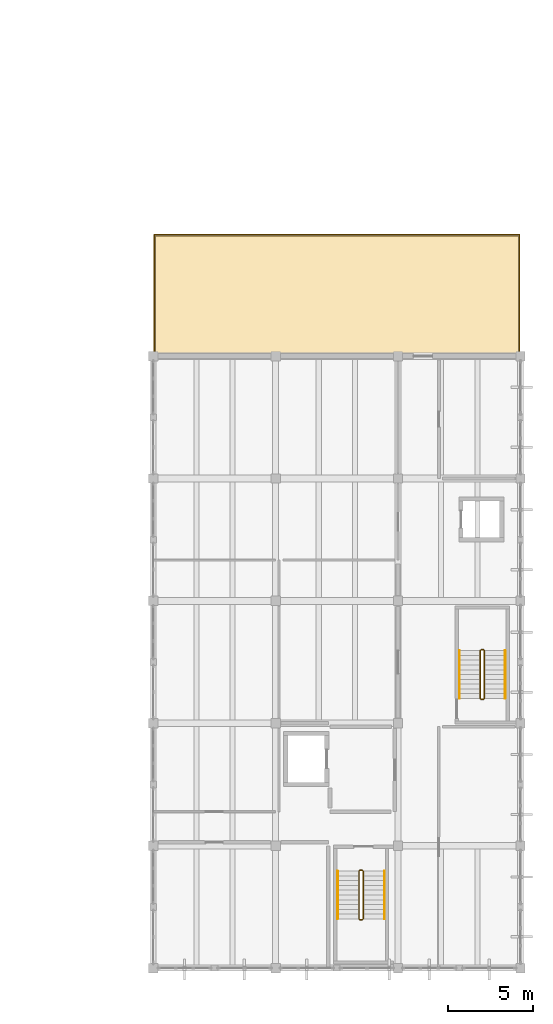
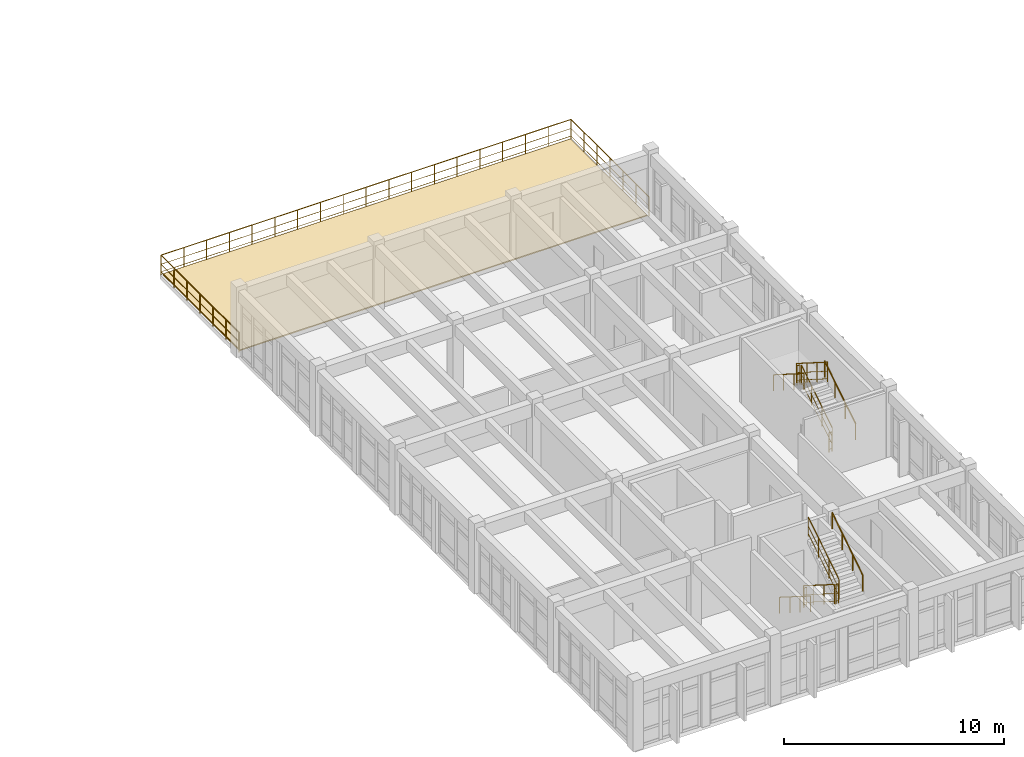
# One storey, part 21 of 22: 15 railings, 1 covering.
"""IFC4 building model written with IfcOpenShell, lengths in metres."""

from ifc_helpers import new_model, si_unit, direction, frame, origin, origin_2d, place, context, subcontext, project, spatial, polyline, circle, outline, extrude, material, layer, layer_set, type_object, element, save


model = new_model("IFC4")

# Units and contexts
model_context = context("Model", 3, precision=1e-05, world=origin(), true_north=direction((0.0, 1.0)))
body_context = subcontext(model_context, "Body", "Model", "MODEL_VIEW")
ifc_project = project(units=[si_unit("LENGTHUNIT", "METRE"), si_unit("AREAUNIT", "SQUARE_METRE"), si_unit("VOLUMEUNIT", "CUBIC_METRE"), si_unit("PLANEANGLEUNIT", "RADIAN"), si_unit("MASSUNIT", "GRAM", prefix="KILO")], contexts=[model_context])

# Site, building, storey
site_placement = place(None, origin())
site = spatial("IfcSite", under=ifc_project, at=site_placement, CompositionType="ELEMENT")
building_placement = place(site_placement, origin())
building = spatial("IfcBuilding", under=site, at=building_placement, Name="Koriwan Promenade Central Fire Station", CompositionType="ELEMENT")
storey_placement = place(building_placement, frame((0.0, 0.0, 17.39990234375)))
storey = spatial("IfcBuildingStorey", under=building, at=storey_placement, Name="L04", CompositionType="ELEMENT", Elevation=17.39990234375)

# Covering
ifc_material_1 = material(Name="Waterproofed xerophytic roof-garden drainage build-up", Category="membrane")
ifc_layer_1 = layer(ifc_material_1, 0.06005859375, Name="Waterproofed xerophytic roof-garden drainage build-up")
ifc_layer_set_1 = layer_set([ifc_layer_1], Name="Waterproofed xerophytic roof-garden drainage build-up")
covering_type = type_object("IfcCoveringType", Name="RoofCovering_Garden", PredefinedType="ROOFING", material=ifc_layer_set_1)
covering_placement = place(storey_placement, origin())
element("IfcCovering", 1, at=covering_placement, inside=storey, type_object=covering_type, Name="Control Wing Roof Terrace waterproofed garden build-up", PredefinedType="ROOFING", context=body_context, shape_type="SweptSolid", body=[
    extrude(outline(polyline([(172.679931640625, 36.1201171875), (151.320068359375, 36.1201171875), (151.320068359375, 43.080078125), (172.679931640625, 43.080078125), (172.679931640625, 36.1201171875)])), origin(), (0.0, 0.0, 1.0), 0.06005859375),
])

# Railings
ifc_material_2 = material(Name="Steel ASTM A500 Grade C", Category="steel")
ifc_layer_2 = layer(ifc_material_2, 0.050048828125, Name="Steel ASTM A500 Grade C")
ifc_layer_set_2 = layer_set([ifc_layer_2], Name="Steel ASTM A500 Grade C")
railing_type_1 = type_object("IfcRailingType", Name="StairGuard_1100", PredefinedType="BALUSTRADE", material=ifc_layer_set_2)
railing_1_placement = place(storey_placement, frame((163.300048828125, 5.699951171875, 0.177490234375)))
element("IfcRailing", 2, at=railing_1_placement, inside=storey, type_object=railing_type_1, Name="L04 ST22 stair guard 1", PredefinedType="BALUSTRADE", context=body_context, shape_type="SweptSolid", body=[
    extrude(circle(Radius=0.02392578125, at=origin_2d()), frame((0.0, 0.0, 1.076171875), z_axis=(0.0, -0.844908973607, 0.534910110503), x_axis=(1.0, 0.0, 0.0)), (0.0, 0.0, 1.0), 3.31396484375),
    extrude(circle(Radius=0.012939453125, at=origin_2d()), frame((0.0, 0.0, 0.572021484375), z_axis=(0.0, -0.844908973607, 0.534910110503), x_axis=(1.0, 0.0, 0.0)), (0.0, 0.0, 1.0), 3.31396484375),
    extrude(circle(Radius=0.012939453125, at=origin_2d()), frame((0.0, 0.0, 0.154052734375), z_axis=(0.0, -0.844908973607, 0.534910110503), x_axis=(1.0, 0.0, 0.0)), (0.0, 0.0, 1.0), 3.31396484375),
    extrude(circle(Radius=0.02099609375, at=origin_2d()), origin(), (0.0, 0.0, 1.0), 1.052001953125),
    extrude(circle(Radius=0.02099609375, at=origin_2d()), frame((0.0, -0.933349609375, 0.5908203125)), (0.0, 0.0, 1.0), 1.052001953125),
    extrude(circle(Radius=0.02099609375, at=origin_2d()), frame((0.0, -1.86669921875, 1.181884765625)), (0.0, 0.0, 1.0), 1.052001953125),
    extrude(circle(Radius=0.02099609375, at=origin_2d()), frame((0.0, -2.800048828125, 1.772705078125)), (0.0, 0.0, 1.0), 1.052001953125),
])
railing_2_placement = place(storey_placement, frame((163.35009765625, 2.85009765625, 1.9501953125)))
element("IfcRailing", 3, at=railing_2_placement, inside=storey, type_object=railing_type_1, Name="L04 ST22 stair guard 2", PredefinedType="BALUSTRADE", context=body_context, shape_type="SweptSolid", body=[
    extrude(circle(Radius=0.02392578125, at=origin_2d()), frame((0.0, 0.0, 1.076171875), z_axis=(1.0, 0.0, 0.0), x_axis=(0.0, 1.0, 0.0)), (0.0, 0.0, 1.0), 0.14990234375),
    extrude(circle(Radius=0.012939453125, at=origin_2d()), frame((0.0, 0.0, 0.572021484375), z_axis=(1.0, 0.0, 0.0), x_axis=(0.0, 1.0, 0.0)), (0.0, 0.0, 1.0), 0.14990234375),
    extrude(circle(Radius=0.012939453125, at=origin_2d()), frame((0.0, 0.0, 0.154052734375), z_axis=(1.0, 0.0, 0.0), x_axis=(0.0, 1.0, 0.0)), (0.0, 0.0, 1.0), 0.14990234375),
    extrude(circle(Radius=0.02099609375, at=origin_2d()), origin(), (0.0, 0.0, 1.0), 1.052001953125),
    extrude(circle(Radius=0.02099609375, at=origin_2d()), frame((0.14990234375, 0.0, 0.0)), (0.0, 0.0, 1.0), 1.052001953125),
])
railing_3_placement = place(storey_placement, frame((163.550048828125, 2.89990234375, 2.12744140625)))
element("IfcRailing", 4, at=railing_3_placement, inside=storey, type_object=railing_type_1, Name="L04 ST22 stair guard 3", PredefinedType="BALUSTRADE", context=body_context, shape_type="SweptSolid", body=[
    extrude(circle(Radius=0.02392578125, at=origin_2d()), frame((0.0, 0.0, 1.076171875), z_axis=(0.0, 0.844908973607, 0.534910110503), x_axis=(-1.0, 0.0, 0.0)), (0.0, 0.0, 1.0), 3.31396484375),
    extrude(circle(Radius=0.012939453125, at=origin_2d()), frame((0.0, 0.0, 0.572021484375), z_axis=(0.0, 0.844908973607, 0.534910110503), x_axis=(-1.0, 0.0, 0.0)), (0.0, 0.0, 1.0), 3.31396484375),
    extrude(circle(Radius=0.012939453125, at=origin_2d()), frame((0.0, 0.0, 0.154052734375), z_axis=(0.0, 0.844908973607, 0.534910110503), x_axis=(-1.0, 0.0, 0.0)), (0.0, 0.0, 1.0), 3.31396484375),
    extrude(circle(Radius=0.02099609375, at=origin_2d()), origin(), (0.0, 0.0, 1.0), 1.052001953125),
    extrude(circle(Radius=0.02099609375, at=origin_2d()), frame((0.0, 0.933349609375, 0.5908203125)), (0.0, 0.0, 1.0), 1.052001953125),
    extrude(circle(Radius=0.02099609375, at=origin_2d()), frame((0.0, 1.86669921875, 1.181884765625)), (0.0, 0.0, 1.0), 1.052001953125),
    extrude(circle(Radius=0.02099609375, at=origin_2d()), frame((0.0, 2.800048828125, 1.772705078125)), (0.0, 0.0, 1.0), 1.052001953125),
])
railing_4_placement = place(storey_placement, frame((163.35009765625, 5.75, 0.0)))
element("IfcRailing", 5, at=railing_4_placement, inside=storey, type_object=railing_type_1, Name="L04 ST22 stair guard 4", PredefinedType="BALUSTRADE", context=body_context, shape_type="SweptSolid", body=[
    extrude(circle(Radius=0.02392578125, at=origin_2d()), frame((0.0, 0.0, 1.076171875), z_axis=(1.0, 0.0, 0.0), x_axis=(0.0, 1.0, 0.0)), (0.0, 0.0, 1.0), 0.14990234375),
    extrude(circle(Radius=0.012939453125, at=origin_2d()), frame((0.0, 0.0, 0.572021484375), z_axis=(1.0, 0.0, 0.0), x_axis=(0.0, 1.0, 0.0)), (0.0, 0.0, 1.0), 0.14990234375),
    extrude(circle(Radius=0.012939453125, at=origin_2d()), frame((0.0, 0.0, 0.154052734375), z_axis=(1.0, 0.0, 0.0), x_axis=(0.0, 1.0, 0.0)), (0.0, 0.0, 1.0), 0.14990234375),
    extrude(circle(Radius=0.02099609375, at=origin_2d()), origin(), (0.0, 0.0, 1.0), 1.052001953125),
    extrude(circle(Radius=0.02099609375, at=origin_2d()), frame((0.14990234375, 0.0, 0.0)), (0.0, 0.0, 1.0), 1.052001953125),
])
railing_5_placement = place(storey_placement, frame((170.679931640625, 15.8701171875, 0.177490234375)))
element("IfcRailing", 6, at=railing_5_placement, inside=storey, type_object=railing_type_1, Name="L04 ST27 stair guard 1", PredefinedType="BALUSTRADE", context=body_context, shape_type="SweptSolid", body=[
    extrude(circle(Radius=0.02392578125, at=origin_2d()), frame((0.0, 0.0, 1.076171875), z_axis=(0.0, 0.844887892834, 0.53494340686), x_axis=(-1.0, 0.0, 0.0)), (0.0, 0.0, 1.0), 3.313720703125),
    extrude(circle(Radius=0.012939453125, at=origin_2d()), frame((0.0, 0.0, 0.572021484375), z_axis=(0.0, 0.844887892834, 0.53494340686), x_axis=(-1.0, 0.0, 0.0)), (0.0, 0.0, 1.0), 3.313720703125),
    extrude(circle(Radius=0.012939453125, at=origin_2d()), frame((0.0, 0.0, 0.154052734375), z_axis=(0.0, 0.844887892834, 0.53494340686), x_axis=(-1.0, 0.0, 0.0)), (0.0, 0.0, 1.0), 3.313720703125),
    extrude(circle(Radius=0.02099609375, at=origin_2d()), origin(), (0.0, 0.0, 1.0), 1.052001953125),
    extrude(circle(Radius=0.02099609375, at=origin_2d()), frame((0.0, 0.933349609375, 0.5908203125)), (0.0, 0.0, 1.0), 1.052001953125),
    extrude(circle(Radius=0.02099609375, at=origin_2d()), frame((0.0, 1.866455078125, 1.181884765625)), (0.0, 0.0, 1.0), 1.052001953125),
    extrude(circle(Radius=0.02099609375, at=origin_2d()), frame((0.0, 2.7998046875, 1.772705078125)), (0.0, 0.0, 1.0), 1.052001953125),
])
railing_6_placement = place(storey_placement, frame((170.6298828125, 18.719970703125, 1.9501953125)))
element("IfcRailing", 7, at=railing_6_placement, inside=storey, type_object=railing_type_1, Name="L04 ST27 stair guard 2", PredefinedType="BALUSTRADE", context=body_context, shape_type="SweptSolid", body=[
    extrude(circle(Radius=0.02392578125, at=origin_2d()), frame((0.0, 0.0, 1.076171875), z_axis=(-1.0, 0.0, 0.0), x_axis=(0.0, -1.0, 0.0)), (0.0, 0.0, 1.0), 0.14990234375),
    extrude(circle(Radius=0.012939453125, at=origin_2d()), frame((0.0, 0.0, 0.572021484375), z_axis=(-1.0, 0.0, 0.0), x_axis=(0.0, -1.0, 0.0)), (0.0, 0.0, 1.0), 0.14990234375),
    extrude(circle(Radius=0.012939453125, at=origin_2d()), frame((0.0, 0.0, 0.154052734375), z_axis=(-1.0, 0.0, 0.0), x_axis=(0.0, -1.0, 0.0)), (0.0, 0.0, 1.0), 0.14990234375),
    extrude(circle(Radius=0.02099609375, at=origin_2d()), origin(), (0.0, 0.0, 1.0), 1.052001953125),
    extrude(circle(Radius=0.02099609375, at=origin_2d()), frame((-0.14990234375, 0.0, 0.0)), (0.0, 0.0, 1.0), 1.052001953125),
])
railing_7_placement = place(storey_placement, frame((170.429931640625, 18.669921875, 2.12744140625)))
element("IfcRailing", 8, at=railing_7_placement, inside=storey, type_object=railing_type_1, Name="L04 ST27 stair guard 3", PredefinedType="BALUSTRADE", context=body_context, shape_type="SweptSolid", body=[
    extrude(circle(Radius=0.02392578125, at=origin_2d()), frame((0.0, 0.0, 1.076171875), z_axis=(0.0, -0.844887892834, 0.53494340686), x_axis=(1.0, 0.0, 0.0)), (0.0, 0.0, 1.0), 3.313720703125),
    extrude(circle(Radius=0.012939453125, at=origin_2d()), frame((0.0, 0.0, 0.572021484375), z_axis=(0.0, -0.844887892834, 0.53494340686), x_axis=(1.0, 0.0, 0.0)), (0.0, 0.0, 1.0), 3.313720703125),
    extrude(circle(Radius=0.012939453125, at=origin_2d()), frame((0.0, 0.0, 0.154052734375), z_axis=(0.0, -0.844887892834, 0.53494340686), x_axis=(1.0, 0.0, 0.0)), (0.0, 0.0, 1.0), 3.313720703125),
    extrude(circle(Radius=0.02099609375, at=origin_2d()), origin(), (0.0, 0.0, 1.0), 1.052001953125),
    extrude(circle(Radius=0.02099609375, at=origin_2d()), frame((0.0, -0.933349609375, 0.5908203125)), (0.0, 0.0, 1.0), 1.052001953125),
    extrude(circle(Radius=0.02099609375, at=origin_2d()), frame((0.0, -1.866455078125, 1.181884765625)), (0.0, 0.0, 1.0), 1.052001953125),
    extrude(circle(Radius=0.02099609375, at=origin_2d()), frame((0.0, -2.7998046875, 1.772705078125)), (0.0, 0.0, 1.0), 1.052001953125),
])
railing_8_placement = place(storey_placement, frame((170.6298828125, 15.820068359375, 0.0)))
element("IfcRailing", 9, at=railing_8_placement, inside=storey, type_object=railing_type_1, Name="L04 ST27 stair guard 4", PredefinedType="BALUSTRADE", context=body_context, shape_type="SweptSolid", body=[
    extrude(circle(Radius=0.02392578125, at=origin_2d()), frame((0.0, 0.0, 1.076171875), z_axis=(-1.0, 0.0, 0.0), x_axis=(0.0, -1.0, 0.0)), (0.0, 0.0, 1.0), 0.14990234375),
    extrude(circle(Radius=0.012939453125, at=origin_2d()), frame((0.0, 0.0, 0.572021484375), z_axis=(-1.0, 0.0, 0.0), x_axis=(0.0, -1.0, 0.0)), (0.0, 0.0, 1.0), 0.14990234375),
    extrude(circle(Radius=0.012939453125, at=origin_2d()), frame((0.0, 0.0, 0.154052734375), z_axis=(-1.0, 0.0, 0.0), x_axis=(0.0, -1.0, 0.0)), (0.0, 0.0, 1.0), 0.14990234375),
    extrude(circle(Radius=0.02099609375, at=origin_2d()), origin(), (0.0, 0.0, 1.0), 1.052001953125),
    extrude(circle(Radius=0.02099609375, at=origin_2d()), frame((-0.14990234375, 0.0, 0.0)), (0.0, 0.0, 1.0), 1.052001953125),
])
ifc_material_3 = material(Name="Stainless steel 316 tubular handrail", Category="steel")
ifc_layer_3 = layer(ifc_material_3, 0.048095703125, Name="Stainless steel 316 tubular handrail")
ifc_layer_set_3 = layer_set([ifc_layer_3], Name="Stainless steel 316 tubular handrail")
railing_type_2 = type_object("IfcRailingType", Name="StairHandrail_900", PredefinedType="HANDRAIL", material=ifc_layer_set_3)
railing_9_placement = place(storey_placement, frame((162.050048828125, 5.699951171875, 0.177490234375)))
element("IfcRailing", 10, at=railing_9_placement, inside=storey, type_object=railing_type_2, Name="L04 ST22 stair handrail 1", PredefinedType="HANDRAIL", context=body_context, shape_type="SweptSolid", body=[
    extrude(circle(Radius=0.02392578125, at=origin_2d()), frame((0.0, 0.0, 0.8759765625), z_axis=(0.0, -0.844908973607, 0.534910110503), x_axis=(1.0, 0.0, 0.0)), (0.0, 0.0, 1.0), 3.31396484375),
    extrude(circle(Radius=0.02099609375, at=origin_2d()), origin(), (0.0, 0.0, 1.0), 0.851806640625),
    extrude(circle(Radius=0.02099609375, at=origin_2d()), frame((0.0, -0.933349609375, 0.5908203125)), (0.0, 0.0, 1.0), 0.851806640625),
    extrude(circle(Radius=0.02099609375, at=origin_2d()), frame((0.0, -1.86669921875, 1.181884765625)), (0.0, 0.0, 1.0), 0.851806640625),
    extrude(circle(Radius=0.02099609375, at=origin_2d()), frame((0.0, -2.800048828125, 1.772705078125)), (0.0, 0.0, 1.0), 0.851806640625),
])
railing_10_placement = place(storey_placement, frame((164.800048828125, 2.89990234375, 2.12744140625)))
element("IfcRailing", 11, at=railing_10_placement, inside=storey, type_object=railing_type_2, Name="L04 ST22 stair handrail 2", PredefinedType="HANDRAIL", context=body_context, shape_type="SweptSolid", body=[
    extrude(circle(Radius=0.02392578125, at=origin_2d()), frame((0.0, 0.0, 0.8759765625), z_axis=(0.0, 0.844908973607, 0.534910110503), x_axis=(-1.0, 0.0, 0.0)), (0.0, 0.0, 1.0), 3.31396484375),
    extrude(circle(Radius=0.02099609375, at=origin_2d()), origin(), (0.0, 0.0, 1.0), 0.851806640625),
    extrude(circle(Radius=0.02099609375, at=origin_2d()), frame((0.0, 0.933349609375, 0.5908203125)), (0.0, 0.0, 1.0), 0.851806640625),
    extrude(circle(Radius=0.02099609375, at=origin_2d()), frame((0.0, 1.86669921875, 1.181884765625)), (0.0, 0.0, 1.0), 0.851806640625),
    extrude(circle(Radius=0.02099609375, at=origin_2d()), frame((0.0, 2.800048828125, 1.772705078125)), (0.0, 0.0, 1.0), 0.851806640625),
])
railing_11_placement = place(storey_placement, frame((171.89990234375, 15.8701171875, 0.177490234375)))
element("IfcRailing", 12, at=railing_11_placement, inside=storey, type_object=railing_type_2, Name="L04 ST27 stair handrail 1", PredefinedType="HANDRAIL", context=body_context, shape_type="SweptSolid", body=[
    extrude(circle(Radius=0.02392578125, at=origin_2d()), frame((0.0, 0.0, 0.8759765625), z_axis=(0.0, 0.844887892834, 0.53494340686), x_axis=(-1.0, 0.0, 0.0)), (0.0, 0.0, 1.0), 3.313720703125),
    extrude(circle(Radius=0.02099609375, at=origin_2d()), origin(), (0.0, 0.0, 1.0), 0.851806640625),
    extrude(circle(Radius=0.02099609375, at=origin_2d()), frame((0.0, 0.933349609375, 0.5908203125)), (0.0, 0.0, 1.0), 0.851806640625),
    extrude(circle(Radius=0.02099609375, at=origin_2d()), frame((0.0, 1.866455078125, 1.181884765625)), (0.0, 0.0, 1.0), 0.851806640625),
    extrude(circle(Radius=0.02099609375, at=origin_2d()), frame((0.0, 2.7998046875, 1.772705078125)), (0.0, 0.0, 1.0), 0.851806640625),
])
railing_12_placement = place(storey_placement, frame((169.2099609375, 18.669921875, 2.12744140625)))
element("IfcRailing", 13, at=railing_12_placement, inside=storey, type_object=railing_type_2, Name="L04 ST27 stair handrail 2", PredefinedType="HANDRAIL", context=body_context, shape_type="SweptSolid", body=[
    extrude(circle(Radius=0.02392578125, at=origin_2d()), frame((0.0, 0.0, 0.8759765625), z_axis=(0.0, -0.844887892834, 0.53494340686), x_axis=(1.0, 0.0, 0.0)), (0.0, 0.0, 1.0), 3.313720703125),
    extrude(circle(Radius=0.02099609375, at=origin_2d()), origin(), (0.0, 0.0, 1.0), 0.851806640625),
    extrude(circle(Radius=0.02099609375, at=origin_2d()), frame((0.0, -0.933349609375, 0.5908203125)), (0.0, 0.0, 1.0), 0.851806640625),
    extrude(circle(Radius=0.02099609375, at=origin_2d()), frame((0.0, -1.866455078125, 1.181884765625)), (0.0, 0.0, 1.0), 0.851806640625),
    extrude(circle(Radius=0.02099609375, at=origin_2d()), frame((0.0, -2.7998046875, 1.772705078125)), (0.0, 0.0, 1.0), 0.851806640625),
])
ifc_layer_4 = layer(ifc_material_2, 0.06005859375, Name="Steel ASTM A500 Grade C")
ifc_layer_set_4 = layer_set([ifc_layer_4], Name="Steel ASTM A500 Grade C")
railing_type_3 = type_object("IfcRailingType", Name="TerraceGuard_1100", PredefinedType="BALUSTRADE", material=ifc_layer_set_4)
railing_13_placement = place(storey_placement, frame((151.260009765625, 36.06005859375, 0.0)))
element("IfcRailing", 14, at=railing_13_placement, inside=storey, type_object=railing_type_3, Name="Control Wing Roof Terrace protective balustrade 023", PredefinedType="BALUSTRADE", context=body_context, shape_type="SweptSolid", body=[
    extrude(circle(Radius=0.02392578125, at=origin_2d()), frame((0.0, 0.0, 1.076171875), z_axis=(0.0, 1.0, 0.0), x_axis=(-1.0, 0.0, 0.0)), (0.0, 0.0, 1.0), 7.079833984375),
    extrude(circle(Radius=0.012939453125, at=origin_2d()), frame((0.0, 0.0, 0.572021484375), z_axis=(0.0, 1.0, 0.0), x_axis=(-1.0, 0.0, 0.0)), (0.0, 0.0, 1.0), 7.079833984375),
    extrude(circle(Radius=0.012939453125, at=origin_2d()), frame((0.0, 0.0, 0.154052734375), z_axis=(0.0, 1.0, 0.0), x_axis=(-1.0, 0.0, 0.0)), (0.0, 0.0, 1.0), 7.079833984375),
    extrude(circle(Radius=0.02099609375, at=origin_2d()), origin(), (0.0, 0.0, 1.0), 1.052001953125),
    extrude(circle(Radius=0.02099609375, at=origin_2d()), frame((0.0, 1.179931640625, 0.0)), (0.0, 0.0, 1.0), 1.052001953125),
    extrude(circle(Radius=0.02099609375, at=origin_2d()), frame((0.0, 2.35986328125, 0.0)), (0.0, 0.0, 1.0), 1.052001953125),
    extrude(circle(Radius=0.02099609375, at=origin_2d()), frame((0.0, 3.5400390625, 0.0)), (0.0, 0.0, 1.0), 1.052001953125),
    extrude(circle(Radius=0.02099609375, at=origin_2d()), frame((0.0, 4.719970703125, 0.0)), (0.0, 0.0, 1.0), 1.052001953125),
    extrude(circle(Radius=0.02099609375, at=origin_2d()), frame((0.0, 5.89990234375, 0.0)), (0.0, 0.0, 1.0), 1.052001953125),
    extrude(circle(Radius=0.02099609375, at=origin_2d()), frame((0.0, 7.079833984375, 0.0)), (0.0, 0.0, 1.0), 1.052001953125),
])
railing_14_placement = place(storey_placement, frame((151.260009765625, 43.139892578125, 0.0)))
element("IfcRailing", 15, at=railing_14_placement, inside=storey, type_object=railing_type_3, Name="Control Wing Roof Terrace protective balustrade 024", PredefinedType="BALUSTRADE", context=body_context, shape_type="SweptSolid", body=[
    extrude(circle(Radius=0.02392578125, at=origin_2d()), frame((0.0, 0.0, 1.076171875), z_axis=(1.0, 0.0, 0.0), x_axis=(0.0, 1.0, 0.0)), (0.0, 0.0, 1.0), 21.47998046875),
    extrude(circle(Radius=0.012939453125, at=origin_2d()), frame((0.0, 0.0, 0.572021484375), z_axis=(1.0, 0.0, 0.0), x_axis=(0.0, 1.0, 0.0)), (0.0, 0.0, 1.0), 21.47998046875),
    extrude(circle(Radius=0.012939453125, at=origin_2d()), frame((0.0, 0.0, 0.154052734375), z_axis=(1.0, 0.0, 0.0), x_axis=(0.0, 1.0, 0.0)), (0.0, 0.0, 1.0), 21.47998046875),
    extrude(circle(Radius=0.02099609375, at=origin_2d()), origin(), (0.0, 0.0, 1.0), 1.052001953125),
    extrude(circle(Radius=0.02099609375, at=origin_2d()), frame((1.193359375, 0.0, 0.0)), (0.0, 0.0, 1.0), 1.052001953125),
    extrude(circle(Radius=0.02099609375, at=origin_2d()), frame((2.38671875, 0.0, 0.0)), (0.0, 0.0, 1.0), 1.052001953125),
    extrude(circle(Radius=0.02099609375, at=origin_2d()), frame((3.580078125, 0.0, 0.0)), (0.0, 0.0, 1.0), 1.052001953125),
    extrude(circle(Radius=0.02099609375, at=origin_2d()), frame((4.7734375, 0.0, 0.0)), (0.0, 0.0, 1.0), 1.052001953125),
    extrude(circle(Radius=0.02099609375, at=origin_2d()), frame((5.966552734375, 0.0, 0.0)), (0.0, 0.0, 1.0), 1.052001953125),
    extrude(circle(Radius=0.02099609375, at=origin_2d()), frame((7.159912109375, 0.0, 0.0)), (0.0, 0.0, 1.0), 1.052001953125),
    extrude(circle(Radius=0.02099609375, at=origin_2d()), frame((8.353271484375, 0.0, 0.0)), (0.0, 0.0, 1.0), 1.052001953125),
    extrude(circle(Radius=0.02099609375, at=origin_2d()), frame((9.546630859375, 0.0, 0.0)), (0.0, 0.0, 1.0), 1.052001953125),
    extrude(circle(Radius=0.02099609375, at=origin_2d()), frame((10.739990234375, 0.0, 0.0)), (0.0, 0.0, 1.0), 1.052001953125),
    extrude(circle(Radius=0.02099609375, at=origin_2d()), frame((11.933349609375, 0.0, 0.0)), (0.0, 0.0, 1.0), 1.052001953125),
    extrude(circle(Radius=0.02099609375, at=origin_2d()), frame((13.126708984375, 0.0, 0.0)), (0.0, 0.0, 1.0), 1.052001953125),
    extrude(circle(Radius=0.02099609375, at=origin_2d()), frame((14.320068359375, 0.0, 0.0)), (0.0, 0.0, 1.0), 1.052001953125),
    extrude(circle(Radius=0.02099609375, at=origin_2d()), frame((15.513427734375, 0.0, 0.0)), (0.0, 0.0, 1.0), 1.052001953125),
    extrude(circle(Radius=0.02099609375, at=origin_2d()), frame((16.70654296875, 0.0, 0.0)), (0.0, 0.0, 1.0), 1.052001953125),
    extrude(circle(Radius=0.02099609375, at=origin_2d()), frame((17.89990234375, 0.0, 0.0)), (0.0, 0.0, 1.0), 1.052001953125),
    extrude(circle(Radius=0.02099609375, at=origin_2d()), frame((19.09326171875, 0.0, 0.0)), (0.0, 0.0, 1.0), 1.052001953125),
    extrude(circle(Radius=0.02099609375, at=origin_2d()), frame((20.28662109375, 0.0, 0.0)), (0.0, 0.0, 1.0), 1.052001953125),
    extrude(circle(Radius=0.02099609375, at=origin_2d()), frame((21.47998046875, 0.0, 0.0)), (0.0, 0.0, 1.0), 1.052001953125),
])
railing_15_placement = place(storey_placement, frame((172.739990234375, 43.139892578125, 0.0)))
element("IfcRailing", 16, at=railing_15_placement, inside=storey, type_object=railing_type_3, Name="Control Wing Roof Terrace protective balustrade 025", PredefinedType="BALUSTRADE", context=body_context, shape_type="SweptSolid", body=[
    extrude(circle(Radius=0.02392578125, at=origin_2d()), frame((0.0, 0.0, 1.076171875), z_axis=(0.0, -1.0, 0.0), x_axis=(1.0, 0.0, 0.0)), (0.0, 0.0, 1.0), 7.079833984375),
    extrude(circle(Radius=0.012939453125, at=origin_2d()), frame((0.0, 0.0, 0.572021484375), z_axis=(0.0, -1.0, 0.0), x_axis=(1.0, 0.0, 0.0)), (0.0, 0.0, 1.0), 7.079833984375),
    extrude(circle(Radius=0.012939453125, at=origin_2d()), frame((0.0, 0.0, 0.154052734375), z_axis=(0.0, -1.0, 0.0), x_axis=(1.0, 0.0, 0.0)), (0.0, 0.0, 1.0), 7.079833984375),
    extrude(circle(Radius=0.02099609375, at=origin_2d()), origin(), (0.0, 0.0, 1.0), 1.052001953125),
    extrude(circle(Radius=0.02099609375, at=origin_2d()), frame((0.0, -1.179931640625, 0.0)), (0.0, 0.0, 1.0), 1.052001953125),
    extrude(circle(Radius=0.02099609375, at=origin_2d()), frame((0.0, -2.35986328125, 0.0)), (0.0, 0.0, 1.0), 1.052001953125),
    extrude(circle(Radius=0.02099609375, at=origin_2d()), frame((0.0, -3.5400390625, 0.0)), (0.0, 0.0, 1.0), 1.052001953125),
    extrude(circle(Radius=0.02099609375, at=origin_2d()), frame((0.0, -4.719970703125, 0.0)), (0.0, 0.0, 1.0), 1.052001953125),
    extrude(circle(Radius=0.02099609375, at=origin_2d()), frame((0.0, -5.89990234375, 0.0)), (0.0, 0.0, 1.0), 1.052001953125),
    extrude(circle(Radius=0.02099609375, at=origin_2d()), frame((0.0, -7.079833984375, 0.0)), (0.0, 0.0, 1.0), 1.052001953125),
])

save(model, "model.ifc")
